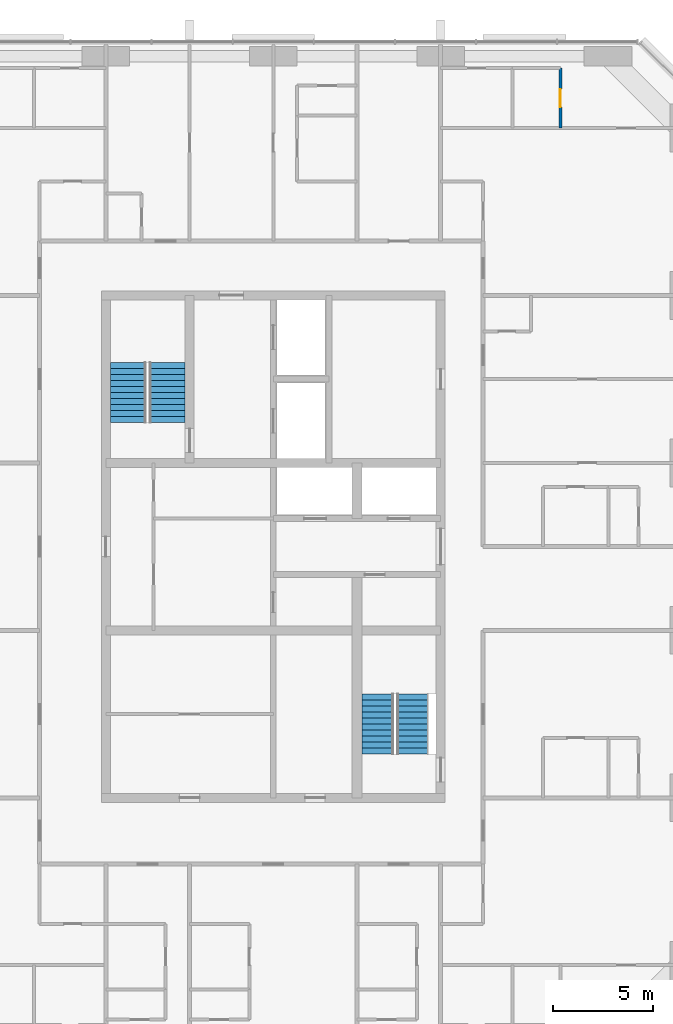
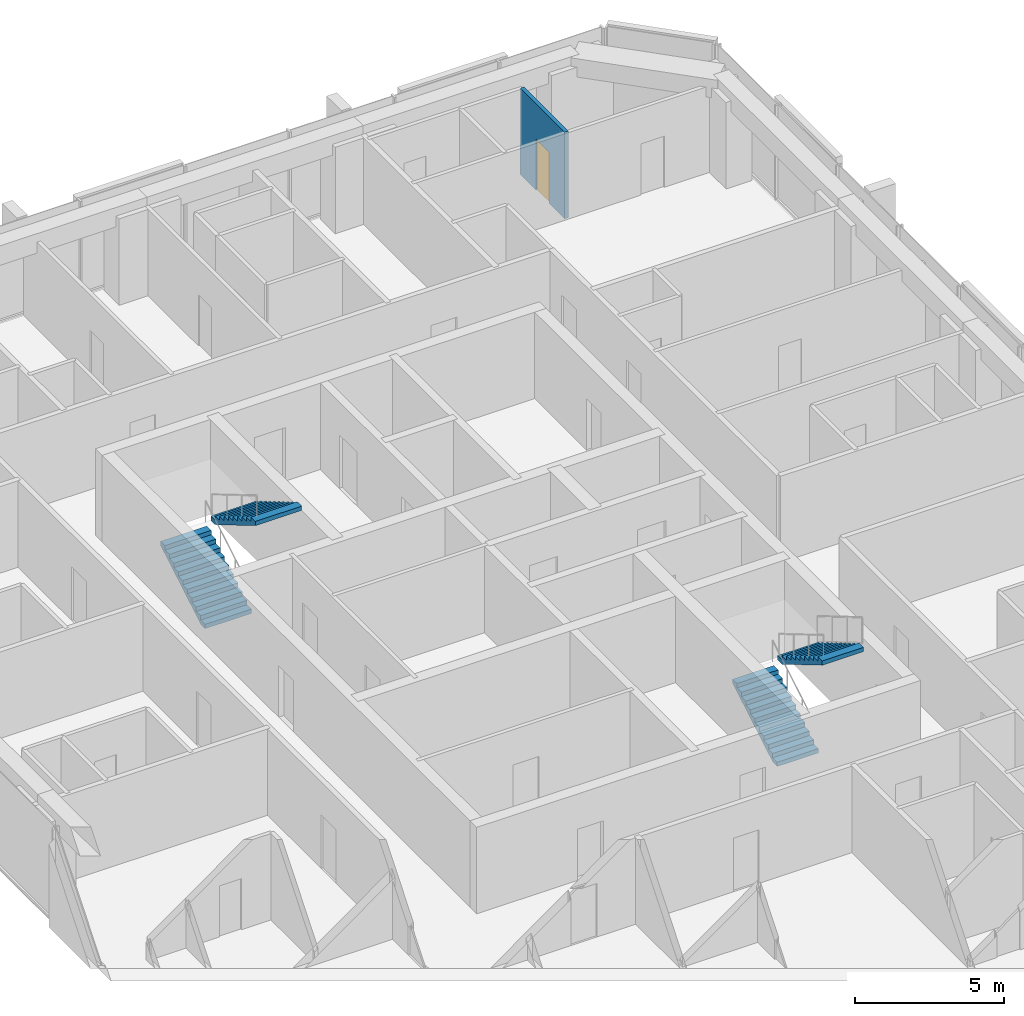
# One storey, part 11 of 12: 4 stair flights, 1 door, 1 wall, 1 opening, 2 elements without a shape of their own.
"""IFC4 building model written with IfcOpenShell, lengths in metres."""

from ifc_helpers import new_model, si_unit, direction, frame, frame_2d, origin, place, context, subcontext, project, spatial, polyline, rectangle, outline, extrude, material, layer, layer_set, type_object, element, fill, aggregate, save


model = new_model("IFC4")

# Units and contexts
model_context = context("Model", 3, precision=1e-05, world=origin(), true_north=direction((0.0, 1.0)))
body_context = subcontext(model_context, "Body", "Model", "MODEL_VIEW")
ifc_project = project(units=[si_unit("LENGTHUNIT", "METRE"), si_unit("AREAUNIT", "SQUARE_METRE"), si_unit("VOLUMEUNIT", "CUBIC_METRE"), si_unit("PLANEANGLEUNIT", "RADIAN"), si_unit("MASSUNIT", "GRAM", prefix="KILO")], contexts=[model_context])

# Site, building, storey
site_placement = place(None, origin())
site = spatial("IfcSite", under=ifc_project, at=site_placement, CompositionType="ELEMENT")
building_placement = place(site_placement, origin())
building = spatial("IfcBuilding", under=site, at=building_placement, Name="Dunama Terrace Hotel", CompositionType="ELEMENT")
storey_placement = place(building_placement, frame((0.0, 0.0, 245.10009765625)))
storey = spatial("IfcBuildingStorey", under=building, at=storey_placement, Name="L63", CompositionType="ELEMENT", Elevation=245.10009765625)

# Wall, opening, door
ifc_material_1 = material(Name="Gypsum board partition", Category="masonry")
ifc_layer = layer(ifc_material_1, 0.14990234375)
ifc_layer_set = layer_set([ifc_layer], Name="Room partition 150")
wall_type = type_object("IfcWallType", Name="Room partition 150", PredefinedType="PARTITIONING", material=ifc_layer_set)
wall_placement = place(storey_placement, frame((48.0, 50.39990234375, 0.0), z_axis=(0.0, 0.0, 1.0), x_axis=(0.0, 1.0, 0.0)))
wall = element("IfcWall", 1, at=wall_placement, inside=storey, type_object=wall_type, Name="Room partition 150 L63", PredefinedType="PARTITIONING", context=body_context, shape_type="SweptSolid", body=[
    extrude(rectangle(XDim=3.0, YDim=0.14990234375, at=frame_2d((1.5, 0.0))), origin(), (0.0, 0.0, 1.0), 3.5498046875),
])
opening_placement = place(wall_placement, frame((1.050048828125, 0.0, 0.0)))
opening = element("IfcOpeningElement", 2, at=opening_placement, cuts=wall, Name="Opening L62-64-055", PredefinedType="OPENING", context=body_context, shape_type="SweptSolid", body=[
    extrude(rectangle(XDim=0.89990234375, YDim=2.10009765625, at=frame_2d((0.449951171875, 1.050048828125))), frame((0.0, 0.0849609375, 0.0), z_axis=(0.0, -1.0, 0.0), x_axis=(1.0, 0.0, 0.0)), (0.0, 0.0, 1.0), 0.169921875),
])
ifc_material_2 = material(Name="Timber door with steel frame", Category="steel")
door_type = type_object("IfcDoorType", Name="Suite internal door 900", OperationType="SINGLE_SWING_LEFT", PredefinedType="DOOR", material=ifc_material_2)
door_placement = place(opening_placement, origin())
door = element("IfcDoor", 3, at=door_placement, inside=storey, type_object=door_type, Name="Door to dressing room L62-64-055, type D16", OperationType="SINGLE_SWING_LEFT", OverallHeight=2.10009765625, OverallWidth=0.89990234375, PredefinedType="DOOR", context=body_context, shape_type="SweptSolid", body=[
    extrude(rectangle(XDim=0.89990234375, YDim=2.10009765625, at=frame_2d((0.449951171875, 1.050048828125))), frame((0.0, 0.02490234375, 0.0), z_axis=(0.0, -1.0, 0.0), x_axis=(1.0, 0.0, 0.0)), (0.0, 0.0, 1.0), 0.050048828125),
])
fill(opening, door)

# Stair, stair flights
ifc_material_3 = material(Name="Concrete C40/50", Category="concrete")
stair_type_1 = type_object("IfcStairType", Name="Stair ST1-3900-1800", PredefinedType="HALF_TURN_STAIR", material=ifc_material_3)
stair_1_placement = place(storey_placement, origin())
stair_1 = element("IfcStair", 4, at=stair_1_placement, inside=storey, type_object=stair_type_1, Name="Stair ST1 L63", PredefinedType="HALF_TURN_STAIR")
ifc_material_4 = material(Name="Concrete C40/50", Category="concrete")
stair_flight_type_1 = type_object("IfcStairFlightType", Name="Stair flight ST1-3900-1800", PredefinedType="STRAIGHT", material=ifc_material_4)
stair_flight_1_placement = place(storey_placement, frame((26.324951171875, 35.625, 0.0), z_axis=(0.0, 0.0, 1.0), x_axis=(0.0, 1.0, 0.0)))
stair_flight_1 = element("IfcStairFlight", 5, at=stair_flight_1_placement, type_object=stair_flight_type_1, Name="ST1 flight 1", NumberOfRisers=11, NumberOfTreads=10, PredefinedType="STRAIGHT", RiserHeight=0.177272727, TreadLength=0.3, context=body_context, shape_type="SweptSolid", body=[
    extrude(outline(polyline([(0.0, 0.0), (0.0, 0.17724609375), (0.300048828125, 0.17724609375), (0.300048828125, 0.3544921875), (0.60009765625, 0.3544921875), (0.60009765625, 0.53173828125), (0.89990234375, 0.53173828125), (0.89990234375, 0.708984375), (1.199951171875, 0.708984375), (1.199951171875, 0.886474609375), (1.5, 0.886474609375), (1.5, 1.063720703125), (1.800048828125, 1.063720703125), (1.800048828125, 1.240966796875), (2.10009765625, 1.240966796875), (2.10009765625, 1.418212890625), (2.39990234375, 1.418212890625), (2.39990234375, 1.595458984375), (2.699951171875, 1.595458984375), (2.699951171875, 1.772705078125), (3.0, 1.772705078125), (3.0, 1.949951171875), (3.0, 1.5986328125), (0.294677734375, 0.0), (0.0, 0.0)])), frame((0.0, 0.89990234375, 0.0), z_axis=(0.0, -1.0, 0.0), x_axis=(1.0, 0.0, 0.0)), (0.0, 0.0, 1.0), 1.800048828125),
])
stair_flight_2_placement = place(storey_placement, frame((28.27490234375, 38.625, 1.949951171875), z_axis=(0.0, 0.0, 1.0), x_axis=(0.0, -1.0, 0.0)))
stair_flight_2 = element("IfcStairFlight", 6, at=stair_flight_2_placement, type_object=stair_flight_type_1, Name="ST1 flight 2", NumberOfRisers=11, NumberOfTreads=10, PredefinedType="STRAIGHT", RiserHeight=0.177272727, TreadLength=0.3, context=body_context, shape_type="SweptSolid", body=[
    extrude(outline(polyline([(0.0, 0.0), (0.0, 0.17724609375), (0.300048828125, 0.17724609375), (0.300048828125, 0.3544921875), (0.60009765625, 0.3544921875), (0.60009765625, 0.53173828125), (0.89990234375, 0.53173828125), (0.89990234375, 0.708984375), (1.199951171875, 0.708984375), (1.199951171875, 0.886474609375), (1.5, 0.886474609375), (1.5, 1.063720703125), (1.800048828125, 1.063720703125), (1.800048828125, 1.240966796875), (2.10009765625, 1.240966796875), (2.10009765625, 1.418212890625), (2.39990234375, 1.418212890625), (2.39990234375, 1.595458984375), (2.699951171875, 1.595458984375), (2.699951171875, 1.772705078125), (3.0, 1.772705078125), (3.0, 1.949951171875), (3.0, 1.5986328125), (0.294677734375, 0.0), (0.0, 0.0)])), frame((0.0, 0.89990234375, 0.0), z_axis=(0.0, -1.0, 0.0), x_axis=(1.0, 0.0, 0.0)), (0.0, 0.0, 1.0), 1.800048828125),
])
aggregate(stair_1, [stair_flight_1, stair_flight_2])

ifc_material_5 = material(Name="Concrete C40/50", Category="concrete")
stair_type_2 = type_object("IfcStairType", Name="Stair ST2-3900-1600", PredefinedType="HALF_TURN_STAIR", material=ifc_material_5)
stair_2_placement = place(storey_placement, origin())
stair_2 = element("IfcStair", 7, at=stair_2_placement, inside=storey, type_object=stair_type_2, Name="Stair ST2 L63", PredefinedType="HALF_TURN_STAIR")
ifc_material_6 = material(Name="Concrete C40/50", Category="concrete")
stair_flight_type_2 = type_object("IfcStairFlightType", Name="Stair flight ST2-3900-1600", PredefinedType="STRAIGHT", material=ifc_material_6)
stair_flight_3_placement = place(storey_placement, frame((38.85009765625, 19.0, 0.0), z_axis=(0.0, 0.0, 1.0), x_axis=(0.0, 1.0, 0.0)))
stair_flight_3 = element("IfcStairFlight", 8, at=stair_flight_3_placement, type_object=stair_flight_type_2, Name="ST2 flight 1", NumberOfRisers=11, NumberOfTreads=10, PredefinedType="STRAIGHT", RiserHeight=0.177272727, TreadLength=0.3, context=body_context, shape_type="SweptSolid", body=[
    extrude(outline(polyline([(0.0, 0.0), (0.0, 0.17724609375), (0.300048828125, 0.17724609375), (0.300048828125, 0.3544921875), (0.60009765625, 0.3544921875), (0.60009765625, 0.53173828125), (0.89990234375, 0.53173828125), (0.89990234375, 0.708984375), (1.199951171875, 0.708984375), (1.199951171875, 0.886474609375), (1.5, 0.886474609375), (1.5, 1.063720703125), (1.800048828125, 1.063720703125), (1.800048828125, 1.240966796875), (2.10009765625, 1.240966796875), (2.10009765625, 1.418212890625), (2.39990234375, 1.418212890625), (2.39990234375, 1.595458984375), (2.699951171875, 1.595458984375), (2.699951171875, 1.772705078125), (3.0, 1.772705078125), (3.0, 1.949951171875), (3.0, 1.5986328125), (0.294677734375, 0.0), (0.0, 0.0)])), frame((0.0, 0.800048828125, 0.0), z_axis=(0.0, -1.0, 0.0), x_axis=(1.0, 0.0, 0.0)), (0.0, 0.0, 1.0), 1.60009765625),
])
stair_flight_4_placement = place(storey_placement, frame((40.60009765625, 22.0, 1.949951171875), z_axis=(0.0, 0.0, 1.0), x_axis=(0.0, -1.0, 0.0)))
stair_flight_4 = element("IfcStairFlight", 9, at=stair_flight_4_placement, type_object=stair_flight_type_2, Name="ST2 flight 2", NumberOfRisers=11, NumberOfTreads=10, PredefinedType="STRAIGHT", RiserHeight=0.177272727, TreadLength=0.3, context=body_context, shape_type="SweptSolid", body=[
    extrude(outline(polyline([(0.0, 0.0), (0.0, 0.17724609375), (0.300048828125, 0.17724609375), (0.300048828125, 0.3544921875), (0.60009765625, 0.3544921875), (0.60009765625, 0.53173828125), (0.89990234375, 0.53173828125), (0.89990234375, 0.708984375), (1.199951171875, 0.708984375), (1.199951171875, 0.886474609375), (1.5, 0.886474609375), (1.5, 1.063720703125), (1.800048828125, 1.063720703125), (1.800048828125, 1.240966796875), (2.10009765625, 1.240966796875), (2.10009765625, 1.418212890625), (2.39990234375, 1.418212890625), (2.39990234375, 1.595458984375), (2.699951171875, 1.595458984375), (2.699951171875, 1.772705078125), (3.0, 1.772705078125), (3.0, 1.949951171875), (3.0, 1.5986328125), (0.294677734375, 0.0), (0.0, 0.0)])), frame((0.0, 0.800048828125, 0.0), z_axis=(0.0, -1.0, 0.0), x_axis=(1.0, 0.0, 0.0)), (0.0, 0.0, 1.0), 1.60009765625),
])
aggregate(stair_2, [stair_flight_3, stair_flight_4])

save(model, "model.ifc")
